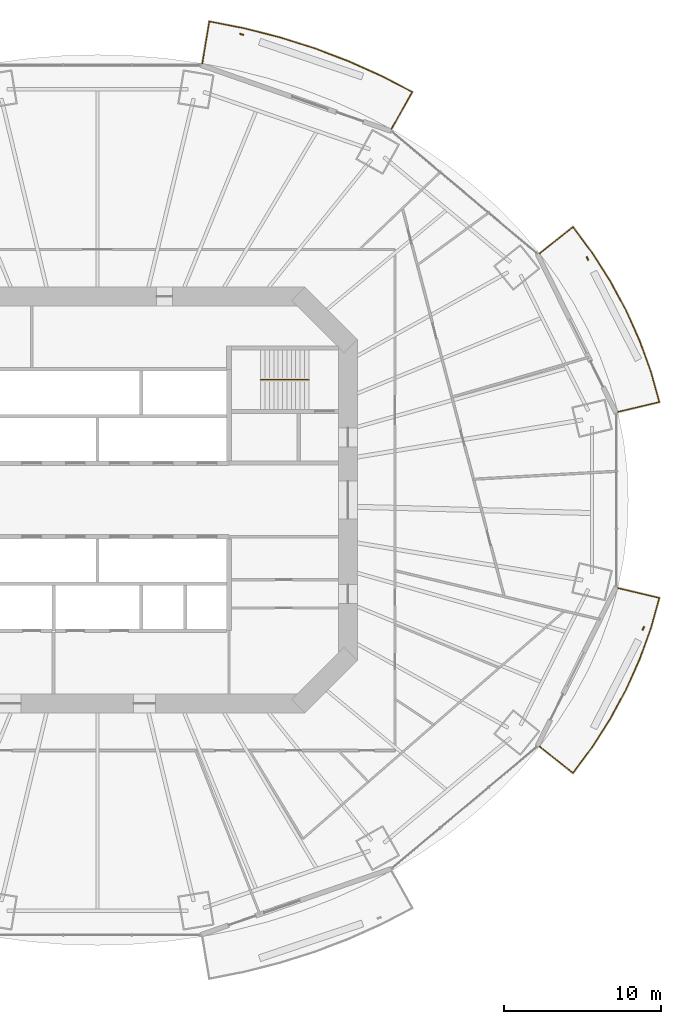
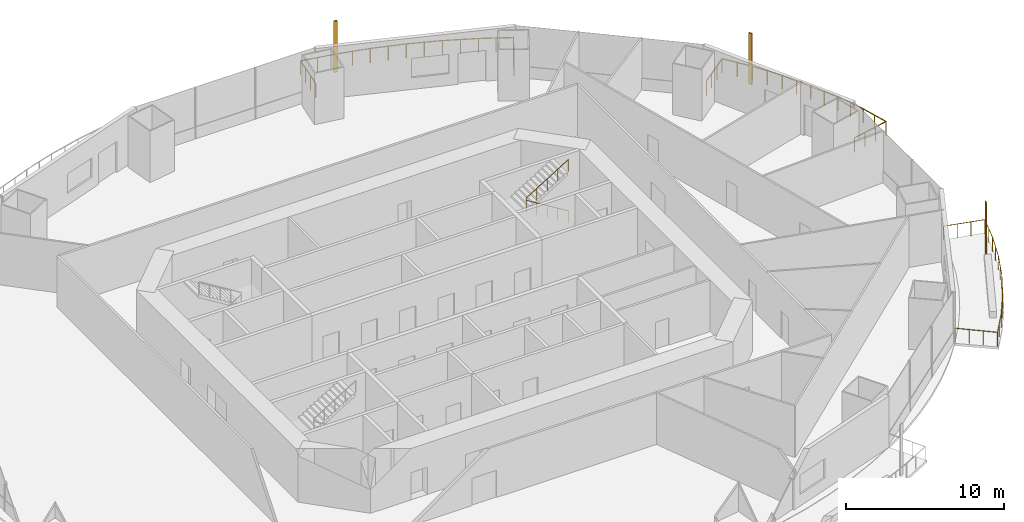
# One storey, part 20 of 21: 4 railings, 3 shading devices.
"""IFC4 building model written with IfcOpenShell, lengths in metres."""

from ifc_helpers import new_model, si_unit, direction, frame, origin, origin_2d, place, context, subcontext, project, spatial, rectangle, circle, extrude, material, material_profile, profile_set, type_object, element, save


model = new_model("IFC4")

# Units and contexts
model_context = context("Model", 3, precision=1e-05, world=origin(), true_north=direction((0.0, 1.0)))
body_context = subcontext(model_context, "Body", "Model", "MODEL_VIEW")
ifc_project = project(units=[si_unit("LENGTHUNIT", "METRE"), si_unit("AREAUNIT", "SQUARE_METRE"), si_unit("VOLUMEUNIT", "CUBIC_METRE"), si_unit("PLANEANGLEUNIT", "RADIAN"), si_unit("MASSUNIT", "GRAM", prefix="KILO")], contexts=[model_context])

# Site, building, storey
site_placement = place(None, origin())
site = spatial("IfcSite", under=ifc_project, at=site_placement, CompositionType="ELEMENT")
building_placement = place(site_placement, origin())
building = spatial("IfcBuilding", under=site, at=building_placement, Name="Marenthal Gate Tower", CompositionType="ELEMENT")
storey_placement = place(building_placement, frame((0.0, 0.0, 120.14990234375)))
storey = spatial("IfcBuildingStorey", under=building, at=storey_placement, Name="L25", CompositionType="ELEMENT", Elevation=120.14990234375)

# Railings
ifc_material_1 = material(Name="Stainless steel", Category="steel")
railing_type_1 = type_object("IfcRailingType", Name="Balcony guard 1100", PredefinedType="GUARDRAIL", material=ifc_material_1)
railing_1_placement = place(storey_placement, frame((28.239990234375, 15.739013671875, 0.0)))
element("IfcRailing", 1, at=railing_1_placement, inside=storey, type_object=railing_type_1, Name="Balcony guard L25 bay 1", PredefinedType="GUARDRAIL", context=body_context, shape_type="SweptSolid", body=[
    extrude(circle(Radius=0.02392578125, at=origin_2d()), frame((0.0, 0.0, 1.076171875), z_axis=(0.782385105715, 0.622623090323, -0.014629892421), x_axis=(-0.622689732199, 0.782468847568, 0.0)), (0.0, 0.0, 1.0), 2.72021484375),
    extrude(circle(Radius=0.02392578125, at=origin_2d()), frame((2.128173828125, 1.693603515625, 1.0361328125), z_axis=(0.594457150675, -0.804127288438, 0.0), x_axis=(0.804127288438, 0.594457150675, 0.0)), (0.0, 0.0, 1.0), 2.077392578125),
    extrude(circle(Radius=0.02392578125, at=origin_2d()), frame((3.363037109375, 0.023193359375, 1.0361328125), z_axis=(0.537259241166, -0.843417161185, 0.0), x_axis=(0.843417161185, 0.537259241166, 0.0)), (0.0, 0.0, 1.0), 2.140380859375),
    extrude(circle(Radius=0.02392578125, at=origin_2d()), frame((4.512939453125, -1.781982421875, 1.0361328125), z_axis=(0.475168488039, -0.879894827792, 0.0), x_axis=(0.879894827792, 0.475168488039, 0.0)), (0.0, 0.0, 1.0), 2.12451171875),
    extrude(circle(Radius=0.02392578125, at=origin_2d()), frame((5.5224609375, -3.6513671875, 1.0361328125), z_axis=(0.409344821555, -0.912379754853, 0.0), x_axis=(0.912379754853, 0.409344821555, 0.0)), (0.0, 0.0, 1.0), 2.11083984375),
    extrude(circle(Radius=0.02392578125, at=origin_2d()), frame((6.386474609375, -5.5771484375, 1.0361328125), z_axis=(0.340033207947, -0.940413429026, 0.0), x_axis=(0.940413429026, 0.340033207947, 0.0)), (0.0, 0.0, 1.0), 2.0986328125),
    extrude(circle(Radius=0.02392578125, at=origin_2d()), frame((7.10009765625, -7.55078125, 1.0361328125), z_axis=(0.269210641776, -0.963081320738, 0.0), x_axis=(0.963081320738, 0.269210641776, 0.0)), (0.0, 0.0, 1.0), 2.0087890625),
    extrude(circle(Radius=0.02392578125, at=origin_2d()), frame((7.640869140625, -9.4853515625, 1.0361328125), z_axis=(-0.972968211955, -0.230475266885, 0.01462907652), x_axis=(0.230499932836, -0.973072341074, 0.0)), (0.0, 0.0, 1.0), 2.72021484375),
    extrude(circle(Radius=0.02099609375, at=origin_2d()), origin(), (0.0, 0.0, 1.0), 1.052001953125),
    extrude(circle(Radius=0.02099609375, at=origin_2d()), frame((0.70947265625, 0.564453125, -0.01318359375)), (0.0, 0.0, 1.0), 1.052001953125),
    extrude(circle(Radius=0.02099609375, at=origin_2d()), frame((1.418701171875, 1.129150390625, -0.026611328125)), (0.0, 0.0, 1.0), 1.052001953125),
    extrude(circle(Radius=0.02099609375, at=origin_2d()), frame((2.128173828125, 1.693603515625, -0.039794921875)), (0.0, 0.0, 1.0), 1.052001953125),
    extrude(circle(Radius=0.02099609375, at=origin_2d()), frame((2.74560546875, 0.8583984375, -0.039794921875)), (0.0, 0.0, 1.0), 1.052001953125),
    extrude(circle(Radius=0.02099609375, at=origin_2d()), frame((3.363037109375, 0.023193359375, -0.039794921875)), (0.0, 0.0, 1.0), 1.052001953125),
    extrude(circle(Radius=0.02099609375, at=origin_2d()), frame((3.93798828125, -0.87939453125, -0.039794921875)), (0.0, 0.0, 1.0), 1.052001953125),
    extrude(circle(Radius=0.02099609375, at=origin_2d()), frame((4.512939453125, -1.781982421875, -0.039794921875)), (0.0, 0.0, 1.0), 1.052001953125),
    extrude(circle(Radius=0.02099609375, at=origin_2d()), frame((5.017578125, -2.716796875, -0.039794921875)), (0.0, 0.0, 1.0), 1.052001953125),
    extrude(circle(Radius=0.02099609375, at=origin_2d()), frame((5.5224609375, -3.6513671875, -0.039794921875)), (0.0, 0.0, 1.0), 1.052001953125),
    extrude(circle(Radius=0.02099609375, at=origin_2d()), frame((5.95458984375, -4.6142578125, -0.039794921875)), (0.0, 0.0, 1.0), 1.052001953125),
    extrude(circle(Radius=0.02099609375, at=origin_2d()), frame((6.386474609375, -5.5771484375, -0.039794921875)), (0.0, 0.0, 1.0), 1.052001953125),
    extrude(circle(Radius=0.02099609375, at=origin_2d()), frame((6.7431640625, -6.56396484375, -0.039794921875)), (0.0, 0.0, 1.0), 1.052001953125),
    extrude(circle(Radius=0.02099609375, at=origin_2d()), frame((7.10009765625, -7.55078125, -0.039794921875)), (0.0, 0.0, 1.0), 1.052001953125),
    extrude(circle(Radius=0.02099609375, at=origin_2d()), frame((7.37060546875, -8.51806640625, -0.039794921875)), (0.0, 0.0, 1.0), 1.052001953125),
    extrude(circle(Radius=0.02099609375, at=origin_2d()), frame((7.640869140625, -9.4853515625, -0.039794921875)), (0.0, 0.0, 1.0), 1.052001953125),
    extrude(circle(Radius=0.02099609375, at=origin_2d()), frame((6.758544921875, -9.6943359375, -0.026611328125)), (0.0, 0.0, 1.0), 1.052001953125),
    extrude(circle(Radius=0.02099609375, at=origin_2d()), frame((5.87646484375, -9.9033203125, -0.01318359375)), (0.0, 0.0, 1.0), 1.052001953125),
    extrude(circle(Radius=0.02099609375, at=origin_2d()), frame((4.994140625, -10.1123046875, 0.0)), (0.0, 0.0, 1.0), 1.052001953125),
])
railing_2_placement = place(storey_placement, frame((6.693115234375, 27.88232421875, 0.0)))
element("IfcRailing", 2, at=railing_2_placement, inside=storey, type_object=railing_type_1, Name="Balcony guard L25 bay 3", PredefinedType="GUARDRAIL", context=body_context, shape_type="SweptSolid", body=[
    extrude(circle(Radius=0.02392578125, at=origin_2d()), frame((0.0, 0.0, 1.076171875), z_axis=(0.164774326367, 0.986222806342, -0.014628657515), x_axis=(-0.986328347949, 0.164791959854, 0.0)), (0.0, 0.0, 1.0), 2.720458984375),
    extrude(circle(Radius=0.02392578125, at=origin_2d()), frame((0.4482421875, 2.682861328125, 1.0361328125), z_axis=(0.981203457672, -0.192976098658, 0.0), x_axis=(0.192976098658, 0.981203457672, 0.0)), (0.0, 0.0, 1.0), 2.2734375),
    extrude(circle(Radius=0.02392578125, at=origin_2d()), frame((2.678955078125, 2.244140625, 1.0361328125), z_axis=(0.969104417167, -0.246650823286, 0.0), x_axis=(0.246650823286, 0.969104417167, 0.0)), (0.0, 0.0, 1.0), 2.343994140625),
    extrude(circle(Radius=0.02392578125, at=origin_2d()), frame((4.950439453125, 1.666015625, 1.0361328125), z_axis=(0.953617459754, -0.301021162798, 0.0), x_axis=(0.301021162798, 0.953617459754, 0.0)), (0.0, 0.0, 1.0), 2.33251953125),
    extrude(circle(Radius=0.02392578125, at=origin_2d()), frame((7.1748046875, 0.9638671875, 1.0361328125), z_axis=(0.934727645052, -0.355364924515, 0.0), x_axis=(0.355364924515, 0.934727645052, 0.0)), (0.0, 0.0, 1.0), 2.3193359375),
    extrude(circle(Radius=0.02392578125, at=origin_2d()), frame((9.3427734375, 0.1396484375, 1.0361328125), z_axis=(0.912452038961, -0.409183670979, 0.0), x_axis=(0.409183670979, 0.912452038961, 0.0)), (0.0, 0.0, 1.0), 2.30419921875),
    extrude(circle(Radius=0.02392578125, at=origin_2d()), frame((11.4453125, -0.80322265625, 1.0361328125), z_axis=(0.887124453904, -0.461530284257, 0.0), x_axis=(0.461530284257, 0.887124453904, 0.0)), (0.0, 0.0, 1.0), 2.2080078125),
    extrude(circle(Radius=0.02392578125, at=origin_2d()), frame((13.404052734375, -1.822265625, 1.0361328125), z_axis=(-0.489198624096, -0.872049721215, 0.014628394006), x_axis=(0.872143041114, -0.489250974283, 0.0)), (0.0, 0.0, 1.0), 2.720458984375),
    extrude(circle(Radius=0.02099609375, at=origin_2d()), origin(), (0.0, 0.0, 1.0), 1.052001953125),
    extrude(circle(Radius=0.02099609375, at=origin_2d()), frame((0.1494140625, 0.894287109375, -0.01318359375)), (0.0, 0.0, 1.0), 1.052001953125),
    extrude(circle(Radius=0.02099609375, at=origin_2d()), frame((0.298828125, 1.78857421875, -0.026611328125)), (0.0, 0.0, 1.0), 1.052001953125),
    extrude(circle(Radius=0.02099609375, at=origin_2d()), frame((0.4482421875, 2.682861328125, -0.039794921875)), (0.0, 0.0, 1.0), 1.052001953125),
    extrude(circle(Radius=0.02099609375, at=origin_2d()), frame((1.5634765625, 2.46337890625, -0.039794921875)), (0.0, 0.0, 1.0), 1.052001953125),
    extrude(circle(Radius=0.02099609375, at=origin_2d()), frame((2.678955078125, 2.244140625, -0.039794921875)), (0.0, 0.0, 1.0), 1.052001953125),
    extrude(circle(Radius=0.02099609375, at=origin_2d()), frame((3.814697265625, 1.955078125, -0.039794921875)), (0.0, 0.0, 1.0), 1.052001953125),
    extrude(circle(Radius=0.02099609375, at=origin_2d()), frame((4.950439453125, 1.666015625, -0.039794921875)), (0.0, 0.0, 1.0), 1.052001953125),
    extrude(circle(Radius=0.02099609375, at=origin_2d()), frame((6.0625, 1.31494140625, -0.039794921875)), (0.0, 0.0, 1.0), 1.052001953125),
    extrude(circle(Radius=0.02099609375, at=origin_2d()), frame((7.1748046875, 0.9638671875, -0.039794921875)), (0.0, 0.0, 1.0), 1.052001953125),
    extrude(circle(Radius=0.02099609375, at=origin_2d()), frame((8.2587890625, 0.5517578125, -0.039794921875)), (0.0, 0.0, 1.0), 1.052001953125),
    extrude(circle(Radius=0.02099609375, at=origin_2d()), frame((9.3427734375, 0.1396484375, -0.039794921875)), (0.0, 0.0, 1.0), 1.052001953125),
    extrude(circle(Radius=0.02099609375, at=origin_2d()), frame((10.39404296875, -0.331787109375, -0.039794921875)), (0.0, 0.0, 1.0), 1.052001953125),
    extrude(circle(Radius=0.02099609375, at=origin_2d()), frame((11.4453125, -0.80322265625, -0.039794921875)), (0.0, 0.0, 1.0), 1.052001953125),
    extrude(circle(Radius=0.02099609375, at=origin_2d()), frame((12.4248046875, -1.312744140625, -0.039794921875)), (0.0, 0.0, 1.0), 1.052001953125),
    extrude(circle(Radius=0.02099609375, at=origin_2d()), frame((13.404052734375, -1.822265625, -0.039794921875)), (0.0, 0.0, 1.0), 1.052001953125),
    extrude(circle(Radius=0.02099609375, at=origin_2d()), frame((12.96044921875, -2.613037109375, -0.026611328125)), (0.0, 0.0, 1.0), 1.052001953125),
    extrude(circle(Radius=0.02099609375, at=origin_2d()), frame((12.516845703125, -3.40380859375, -0.01318359375)), (0.0, 0.0, 1.0), 1.052001953125),
    extrude(circle(Radius=0.02099609375, at=origin_2d()), frame((12.0732421875, -4.194580078125, 0.0)), (0.0, 0.0, 1.0), 1.052001953125),
])
railing_3_placement = place(storey_placement, frame((33.234130859375, -5.626708984375, 0.0)))
element("IfcRailing", 3, at=railing_3_placement, inside=storey, type_object=railing_type_1, Name="Balcony guard L25 bay 15", PredefinedType="GUARDRAIL", context=body_context, shape_type="SweptSolid", body=[
    extrude(circle(Radius=0.02392578125, at=origin_2d()), frame((0.0, 0.0, 1.076171875), z_axis=(0.972968211955, -0.230475266885, -0.01462907652), x_axis=(0.230499932836, 0.973072341074, 0.0)), (0.0, 0.0, 1.0), 2.72021484375),
    extrude(circle(Radius=0.02392578125, at=origin_2d()), frame((2.646728515625, -0.626953125, 1.0361328125), z_axis=(-0.269210641776, -0.963081320738, 0.0), x_axis=(0.963081320738, -0.269210641776, 0.0)), (0.0, 0.0, 1.0), 2.0087890625),
    extrude(circle(Radius=0.02392578125, at=origin_2d()), frame((2.10595703125, -2.5615234375, 1.0361328125), z_axis=(-0.340033207947, -0.940413429026, 0.0), x_axis=(0.940413429026, -0.340033207947, 0.0)), (0.0, 0.0, 1.0), 2.0986328125),
    extrude(circle(Radius=0.02392578125, at=origin_2d()), frame((1.392333984375, -4.53515625, 1.0361328125), z_axis=(-0.409344821555, -0.912379754853, 0.0), x_axis=(0.912379754853, -0.409344821555, 0.0)), (0.0, 0.0, 1.0), 2.11083984375),
    extrude(circle(Radius=0.02392578125, at=origin_2d()), frame((0.5283203125, -6.4609375, 1.0361328125), z_axis=(-0.475168488039, -0.879894827792, 0.0), x_axis=(0.879894827792, -0.475168488039, 0.0)), (0.0, 0.0, 1.0), 2.12451171875),
    extrude(circle(Radius=0.02392578125, at=origin_2d()), frame((-0.481201171875, -8.330322265625, 1.0361328125), z_axis=(-0.537259241166, -0.843417161185, 0.0), x_axis=(0.843417161185, -0.537259241166, 0.0)), (0.0, 0.0, 1.0), 2.140380859375),
    extrude(circle(Radius=0.02392578125, at=origin_2d()), frame((-1.631103515625, -10.135498046875, 1.0361328125), z_axis=(-0.594457150675, -0.804127288438, 0.0), x_axis=(0.804127288438, -0.594457150675, 0.0)), (0.0, 0.0, 1.0), 2.077392578125),
    extrude(circle(Radius=0.02392578125, at=origin_2d()), frame((-2.865966796875, -11.805908203125, 1.0361328125), z_axis=(-0.782385105715, 0.622623090323, 0.014629892421), x_axis=(-0.622689732199, -0.782468847568, 0.0)), (0.0, 0.0, 1.0), 2.72021484375),
    extrude(circle(Radius=0.02099609375, at=origin_2d()), origin(), (0.0, 0.0, 1.0), 1.052001953125),
    extrude(circle(Radius=0.02099609375, at=origin_2d()), frame((0.88232421875, -0.208984375, -0.01318359375)), (0.0, 0.0, 1.0), 1.052001953125),
    extrude(circle(Radius=0.02099609375, at=origin_2d()), frame((1.764404296875, -0.41796875, -0.026611328125)), (0.0, 0.0, 1.0), 1.052001953125),
    extrude(circle(Radius=0.02099609375, at=origin_2d()), frame((2.646728515625, -0.626953125, -0.039794921875)), (0.0, 0.0, 1.0), 1.052001953125),
    extrude(circle(Radius=0.02099609375, at=origin_2d()), frame((2.37646484375, -1.59423828125, -0.039794921875)), (0.0, 0.0, 1.0), 1.052001953125),
    extrude(circle(Radius=0.02099609375, at=origin_2d()), frame((2.10595703125, -2.5615234375, -0.039794921875)), (0.0, 0.0, 1.0), 1.052001953125),
    extrude(circle(Radius=0.02099609375, at=origin_2d()), frame((1.7490234375, -3.54833984375, -0.039794921875)), (0.0, 0.0, 1.0), 1.052001953125),
    extrude(circle(Radius=0.02099609375, at=origin_2d()), frame((1.392333984375, -4.53515625, -0.039794921875)), (0.0, 0.0, 1.0), 1.052001953125),
    extrude(circle(Radius=0.02099609375, at=origin_2d()), frame((0.96044921875, -5.498046875, -0.039794921875)), (0.0, 0.0, 1.0), 1.052001953125),
    extrude(circle(Radius=0.02099609375, at=origin_2d()), frame((0.5283203125, -6.4609375, -0.039794921875)), (0.0, 0.0, 1.0), 1.052001953125),
    extrude(circle(Radius=0.02099609375, at=origin_2d()), frame((0.0234375, -7.3955078125, -0.039794921875)), (0.0, 0.0, 1.0), 1.052001953125),
    extrude(circle(Radius=0.02099609375, at=origin_2d()), frame((-0.481201171875, -8.330322265625, -0.039794921875)), (0.0, 0.0, 1.0), 1.052001953125),
    extrude(circle(Radius=0.02099609375, at=origin_2d()), frame((-1.05615234375, -9.23291015625, -0.039794921875)), (0.0, 0.0, 1.0), 1.052001953125),
    extrude(circle(Radius=0.02099609375, at=origin_2d()), frame((-1.631103515625, -10.135498046875, -0.039794921875)), (0.0, 0.0, 1.0), 1.052001953125),
    extrude(circle(Radius=0.02099609375, at=origin_2d()), frame((-2.24853515625, -10.970703125, -0.039794921875)), (0.0, 0.0, 1.0), 1.052001953125),
    extrude(circle(Radius=0.02099609375, at=origin_2d()), frame((-2.865966796875, -11.805908203125, -0.039794921875)), (0.0, 0.0, 1.0), 1.052001953125),
    extrude(circle(Radius=0.02099609375, at=origin_2d()), frame((-3.575439453125, -11.241455078125, -0.026611328125)), (0.0, 0.0, 1.0), 1.052001953125),
    extrude(circle(Radius=0.02099609375, at=origin_2d()), frame((-4.28466796875, -10.6767578125, -0.01318359375)), (0.0, 0.0, 1.0), 1.052001953125),
    extrude(circle(Radius=0.02099609375, at=origin_2d()), frame((-4.994140625, -10.1123046875, 0.0)), (0.0, 0.0, 1.0), 1.052001953125),
])
ifc_material_2 = material(Name="Stainless steel", Category="steel")
railing_type_2 = type_object("IfcRailingType", Name="Stair handrail", PredefinedType="HANDRAIL", material=ifc_material_2)
railing_4_placement = place(storey_placement, frame((13.5, 7.675048828125, 0.173095703125)))
element("IfcRailing", 4, at=railing_4_placement, inside=storey, type_object=railing_type_2, Name="Handrail ST3", PredefinedType="HANDRAIL", context=body_context, shape_type="SweptSolid", body=[
    extrude(circle(Radius=0.0224609375, at=origin_2d()), frame((0.0, 0.0, 0.927490234375), z_axis=(-0.850835241893, 0.0, 0.525432575268), x_axis=(0.0, -1.0, 0.0)), (0.0, 0.0, 1.0), 3.6201171875),
    extrude(circle(Radius=0.0224609375, at=origin_2d()), frame((-3.080078125, 0.0, 2.82958984375), z_axis=(0.0, 0.0, 1.0), x_axis=(1.0, 0.0, 0.0)), (0.0, 0.0, 1.0), 0.1728515625),
    extrude(circle(Radius=0.0224609375, at=origin_2d()), frame((-3.080078125, 0.0, 3.00244140625), z_axis=(0.850835241893, 0.0, 0.525432575268), x_axis=(0.0, 1.0, 0.0)), (0.0, 0.0, 1.0), 3.6201171875),
    extrude(circle(Radius=0.02001953125, at=origin_2d()), origin(), (0.0, 0.0, 1.0), 0.905029296875),
    extrude(circle(Radius=0.02001953125, at=origin_2d()), frame((-0.77001953125, 0.0, 0.4755859375)), (0.0, 0.0, 1.0), 0.905029296875),
    extrude(circle(Radius=0.02001953125, at=origin_2d()), frame((-1.5400390625, 0.0, 0.951171875)), (0.0, 0.0, 1.0), 0.905029296875),
    extrude(circle(Radius=0.02001953125, at=origin_2d()), frame((-2.31005859375, 0.0, 1.426513671875)), (0.0, 0.0, 1.0), 0.905029296875),
    extrude(circle(Radius=0.02001953125, at=origin_2d()), frame((-3.080078125, 0.0, 1.902099609375)), (0.0, 0.0, 1.0), 0.905029296875),
    extrude(circle(Radius=0.02001953125, at=origin_2d()), frame((-3.080078125, 0.0, 2.074951171875)), (0.0, 0.0, 1.0), 0.905029296875),
    extrude(circle(Radius=0.02001953125, at=origin_2d()), frame((-2.31005859375, 0.0, 2.550537109375)), (0.0, 0.0, 1.0), 0.905029296875),
    extrude(circle(Radius=0.02001953125, at=origin_2d()), frame((-1.5400390625, 0.0, 3.02587890625)), (0.0, 0.0, 1.0), 0.905029296875),
    extrude(circle(Radius=0.02001953125, at=origin_2d()), frame((-0.77001953125, 0.0, 3.50146484375)), (0.0, 0.0, 1.0), 0.905029296875),
    extrude(circle(Radius=0.02001953125, at=origin_2d()), frame((0.0, 0.0, 3.97705078125)), (0.0, 0.0, 1.0), 0.905029296875),
])

# Shading devices
ifc_material_3 = material(Name="Terracotta", Category="masonry")
ifc_material_profile = material_profile(ifc_material_3, rectangle(XDim=0.25, YDim=0.080078125, at=origin_2d()), Name="Terracotta baguette 250x80")
ifc_profile_set = profile_set([ifc_material_profile], Name="Terracotta")
shading_device_type = type_object("IfcShadingDeviceType", Name="Terracotta BAGUETTE SCREEN 250x80", PredefinedType="USERDEFINED", material=ifc_profile_set)
for number, where, z_axis, x_axis, name in (
    (5, (31.29296875, 15.42333984375, -0.039794921875), (0.0, 0.0, 1.0), (-0.442657811607, 0.896690616558, 0.0), "Terracotta BAGUETTE L25 bay 1R"),
    (6, (9.20361328125, 29.742919921875, -0.039794921875), (0.0, 0.0, 1.0), (-0.944576320007, 0.328291906207, 0.0), "Terracotta BAGUETTE L25 bay 3R"),
    (7, (34.85888671875, -8.199462890625, -0.039794921875), (0.0, 0.0, 1.0), (0.442657811607, 0.896690616558, 0.0), "Terracotta BAGUETTE L25 bay 15R"),
):
    element("IfcShadingDevice", number, at=place(storey_placement, frame(where, z_axis=z_axis, x_axis=x_axis)), inside=storey, type_object=shading_device_type, Name=name, ObjectType="BAGUETTE SCREEN", PredefinedType="USERDEFINED", context=body_context, shape_type="SweptSolid", body=[
        extrude(rectangle(XDim=0.25, YDim=0.080078125, at=origin_2d()), origin(), (0.0, 0.0, 1.0), 3.969970703125),
    ])

save(model, "model.ifc")
